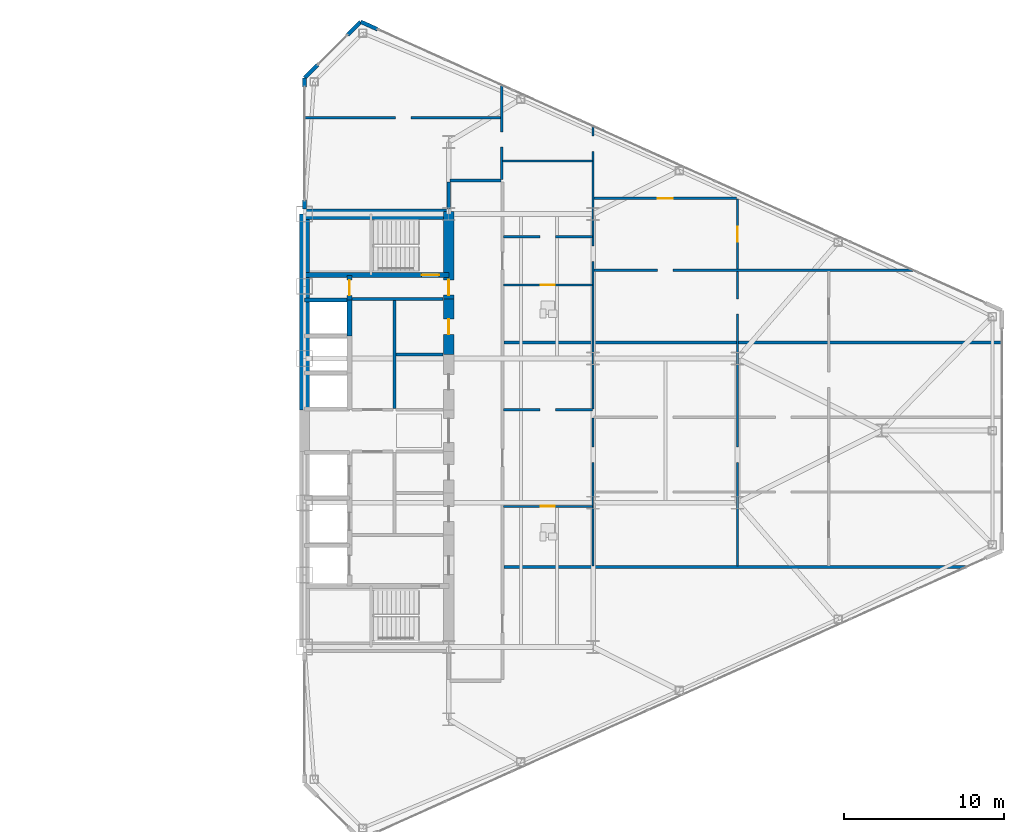
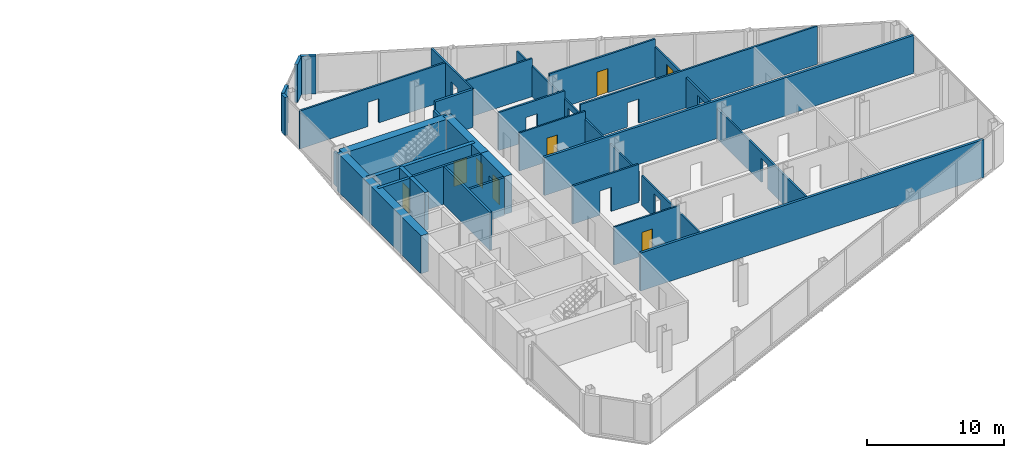
# One storey, part 23 of 27: 32 walls, 8 doors, 18 openings.
"""IFC4 building model written with IfcOpenShell, lengths in metres."""

from ifc_helpers import new_model, si_unit, direction, frame, frame_2d, origin, place, context, subcontext, project, spatial, rectangle, extrude, source, transform, mapped, material, layer, layer_set, type_object, type_shapes, element, fill, save


model = new_model("IFC4")

# Units and contexts
model_context = context("Model", 3, precision=1e-05, world=origin(), true_north=direction((0.0, 1.0)))
body_context = subcontext(model_context, "Body", "Model", "MODEL_VIEW")
ifc_project = project(units=[si_unit("LENGTHUNIT", "METRE"), si_unit("AREAUNIT", "SQUARE_METRE"), si_unit("VOLUMEUNIT", "CUBIC_METRE"), si_unit("PLANEANGLEUNIT", "RADIAN"), si_unit("MASSUNIT", "GRAM", prefix="KILO")], contexts=[model_context])

# Site, building, storey
site_placement = place(None, origin())
site = spatial("IfcSite", under=ifc_project, at=site_placement, CompositionType="ELEMENT")
building_placement = place(site_placement, origin())
building = spatial("IfcBuilding", under=site, at=building_placement, Name="Seokmaru Belvedere", CompositionType="ELEMENT")
storey_placement = place(building_placement, frame((0.0, 0.0, 72.89990234375)))
storey = spatial("IfcBuildingStorey", under=building, at=storey_placement, Name="L19", CompositionType="ELEMENT", Elevation=72.89990234375)

# Wall, opening
ifc_material_1 = material(Name="Fire-Rated Gypsum Shaftwall")
ifc_layer_1 = layer(ifc_material_1, 0.14990234375)
ifc_layer_set_1 = layer_set([ifc_layer_1], Name="Fire-Rated Gypsum Shaftwall")
wall_type_1 = type_object("IfcWallType", Name="Apartment Fire-Acoustic Room Partition 150", PredefinedType="PARTITIONING", material=ifc_layer_set_1)
wall_1_placement = place(storey_placement, frame((39.89990234375, 1.300048828125, 0.0), z_axis=(0.0, 0.0, 1.0), x_axis=(1.0, 0.0, 0.0)))
wall_1 = element("IfcWall", 1, at=wall_1_placement, inside=storey, type_object=wall_type_1, Name="L19 Interior Partition 016", PredefinedType="PARTITIONING", context=body_context, shape_type="SweptSolid", body=[
    extrude(rectangle(XDim=5.550048828125, YDim=0.14990234375, at=frame_2d((2.77490234375, 0.0))), origin(), (0.0, 0.0, 1.0), 3.380126953125),
])
opening_1_placement = place(wall_1_placement, frame((2.300048828125, 0.0, 0.0)))
element("IfcOpeningElement", 2, at=opening_1_placement, cuts=wall_1, Name="L19 Cased Opening 036", PredefinedType="OPENING", context=body_context, shape_type="SweptSolid", body=[
    extrude(rectangle(XDim=0.949951171875, YDim=2.14990234375, at=frame_2d((0.47509765625, 1.074951171875))), frame((0.0, 0.0849609375, 0.0), z_axis=(0.0, -1.0, 0.0), x_axis=(1.0, 0.0, 0.0)), (0.0, 0.0, 1.0), 0.169921875),
])

wall_2_placement = place(storey_placement, frame((45.550048828125, 9.989990234375, 0.0), z_axis=(0.0, 0.0, 1.0), x_axis=(1.0, 0.0, 0.0)))
wall_2 = element("IfcWall", 3, at=wall_2_placement, inside=storey, type_object=wall_type_1, Name="L19 Interior Partition 022", PredefinedType="PARTITIONING", context=body_context, shape_type="SweptSolid", body=[
    extrude(rectangle(XDim=19.947998046875, YDim=0.14990234375, at=frame_2d((9.97412109375, 0.0))), origin(), (0.0, 0.0, 1.0), 3.380126953125),
])
opening_2_placement = place(wall_2_placement, frame((3.97509765625, 0.0, 0.0)))
element("IfcOpeningElement", 4, at=opening_2_placement, cuts=wall_2, Name="L19 Cased Opening 051", PredefinedType="OPENING", context=body_context, shape_type="SweptSolid", body=[
    extrude(rectangle(XDim=0.949951171875, YDim=2.14990234375, at=frame_2d((0.47509765625, 1.074951171875))), frame((0.0, 0.0849609375, 0.0), z_axis=(0.0, -1.0, 0.0), x_axis=(1.0, 0.0, 0.0)), (0.0, 0.0, 1.0), 0.169921875),
])

wall_3_placement = place(storey_placement, frame((39.89990234375, 12.080078125, 0.0), z_axis=(0.0, 0.0, 1.0), x_axis=(1.0, 0.0, 0.0)))
wall_3 = element("IfcWall", 5, at=wall_3_placement, inside=storey, type_object=wall_type_1, Name="L19 Interior Partition 024", PredefinedType="PARTITIONING", context=body_context, shape_type="SweptSolid", body=[
    extrude(rectangle(XDim=5.550048828125, YDim=0.14990234375, at=frame_2d((2.77490234375, 0.0))), origin(), (0.0, 0.0, 1.0), 3.380126953125),
])
opening_3_placement = place(wall_3_placement, frame((2.300048828125, 0.0, 0.0)))
element("IfcOpeningElement", 6, at=opening_3_placement, cuts=wall_3, Name="L19 Cased Opening 048", PredefinedType="OPENING", context=body_context, shape_type="SweptSolid", body=[
    extrude(rectangle(XDim=0.949951171875, YDim=2.14990234375, at=frame_2d((0.47509765625, 1.074951171875))), frame((0.0, 0.0849609375, 0.0), z_axis=(0.0, -1.0, 0.0), x_axis=(1.0, 0.0, 0.0)), (0.0, 0.0, 1.0), 0.169921875),
])

# Wall, opening, door
wall_4_placement = place(storey_placement, frame((45.550048828125, 14.47998046875, 0.0), z_axis=(0.0, 0.0, 1.0), x_axis=(1.0, 0.0, 0.0)))
wall_4 = element("IfcWall", 7, at=wall_4_placement, inside=storey, type_object=wall_type_1, Name="L19 Interior Partition 026", PredefinedType="PARTITIONING", context=body_context, shape_type="SweptSolid", body=[
    extrude(rectangle(XDim=8.89990234375, YDim=0.14990234375, at=frame_2d((4.449951171875, 0.0))), origin(), (0.0, 0.0, 1.0), 3.380126953125),
])
opening_4_placement = place(wall_4_placement, frame((3.97509765625, 0.0, 0.0)))
opening_4 = element("IfcOpeningElement", 8, at=opening_4_placement, cuts=wall_4, Name="Opening D05", PredefinedType="OPENING", context=body_context, shape_type="SweptSolid", body=[
    extrude(rectangle(XDim=0.949951171875, YDim=2.14990234375, at=frame_2d((0.47509765625, 1.074951171875))), frame((0.0, 0.0849609375, 0.0), z_axis=(0.0, -1.0, 0.0), x_axis=(1.0, 0.0, 0.0)), (0.0, 0.0, 1.0), 0.169921875),
])
ifc_material_2 = material(Name="Engineered White Oak Timber", Category="wood")
door_type_1 = type_object("IfcDoorType", Name="Apartment Interior Fire-Rated Oak Door 950x2150", OperationType="NOTDEFINED", PredefinedType="DOOR", material=ifc_material_2)
shared_shape_1 = source(origin(), body_context, "Body", "SweptSolid", [
    extrude(rectangle(XDim=0.949951171875, YDim=2.14990234375, at=frame_2d((0.47509765625, 1.074951171875))), frame((0.0, 0.02490234375, 0.0), z_axis=(0.0, -1.0, 0.0), x_axis=(1.0, 0.0, 0.0)), (0.0, 0.0, 1.0), 0.050048828125),
])
type_shapes(door_type_1, [shared_shape_1])
door_1_placement = place(opening_4_placement, origin())
door_1 = element("IfcDoor", 9, at=door_1_placement, inside=storey, type_object=door_type_1, Name="L19 Interior Door 052", OperationType="SINGLE_SWING_LEFT", OverallHeight=2.14990234375, OverallWidth=0.949951171875, PredefinedType="DOOR", context=body_context, shape_type="MappedRepresentation", body=[
    mapped(shared_shape_1, transform((0.0, 0.0, 0.0), scale=1.0)),
])
fill(opening_4, door_1)

# Wall
wall_5_placement = place(storey_placement, frame((39.85009765625, 16.81005859375, 0.0), z_axis=(0.0, 0.0, 1.0), x_axis=(1.0, 0.0, 0.0)))
element("IfcWall", 10, at=wall_5_placement, inside=storey, type_object=wall_type_1, Name="L19 Interior Partition 029", PredefinedType="PARTITIONING", context=body_context, shape_type="SweptSolid", body=[
    extrude(rectangle(XDim=5.599853515625, YDim=0.14990234375, at=frame_2d((2.7998046875, 0.0))), origin(), (0.0, 0.0, 1.0), 3.380126953125),
])

# Wall, opening
wall_6_placement = place(storey_placement, frame((27.465087890625, 19.5, 0.0), z_axis=(0.0, 0.0, 1.0), x_axis=(1.0, 0.0, 0.0)))
wall_6 = element("IfcWall", 11, at=wall_6_placement, inside=storey, type_object=wall_type_1, Name="L19 Interior Partition 032", PredefinedType="PARTITIONING", context=body_context, shape_type="SweptSolid", body=[
    extrude(rectangle(XDim=12.284912109375, YDim=0.14990234375, at=frame_2d((6.142578125, 0.0))), origin(), (0.0, 0.0, 1.0), 3.380126953125),
])
opening_5_placement = place(wall_6_placement, frame((5.7099609375, 0.0, 0.0)))
element("IfcOpeningElement", 12, at=opening_5_placement, cuts=wall_6, Name="L19 Cased Opening 057", PredefinedType="OPENING", context=body_context, shape_type="SweptSolid", body=[
    extrude(rectangle(XDim=0.949951171875, YDim=2.14990234375, at=frame_2d((0.47509765625, 1.074951171875))), frame((0.0, 0.0849609375, 0.0), z_axis=(0.0, -1.0, 0.0), x_axis=(1.0, 0.0, 0.0)), (0.0, 0.0, 1.0), 0.169921875),
])

wall_7_placement = place(storey_placement, frame((39.800048828125, 15.64990234375, 0.0), z_axis=(0.0, 0.0, 1.0), x_axis=(0.0, 1.0, 0.0)))
wall_7 = element("IfcWall", 13, at=wall_7_placement, inside=storey, type_object=wall_type_1, Name="L19 Interior Partition 045", PredefinedType="PARTITIONING", context=body_context, shape_type="SweptSolid", body=[
    extrude(rectangle(XDim=5.925048828125, YDim=0.14990234375, at=frame_2d((2.96240234375, 0.0))), origin(), (0.0, 0.0, 1.0), 3.380126953125),
])
opening_6_placement = place(wall_7_placement, frame((2.029296875, 0.0, 0.0)))
element("IfcOpeningElement", 14, at=opening_6_placement, cuts=wall_7, Name="L19 Cased Opening 056", PredefinedType="OPENING", context=body_context, shape_type="SweptSolid", body=[
    extrude(rectangle(XDim=0.949951171875, YDim=2.14990234375, at=frame_2d((0.47509765625, 1.074951171875))), frame((0.0, 0.0849609375, 0.0), z_axis=(0.0, -1.0, 0.0), x_axis=(1.0, 0.0, 0.0)), (0.0, 0.0, 1.0), 0.169921875),
])

# Wall, openings, door
wall_8_placement = place(storey_placement, frame((54.5, -8.449951171875, 0.0), z_axis=(0.0, 0.0, 1.0), x_axis=(0.0, 1.0, 0.0)))
wall_8 = element("IfcWall", 15, at=wall_8_placement, inside=storey, type_object=wall_type_1, Name="L19 Interior Partition 049", PredefinedType="PARTITIONING", context=body_context, shape_type="SweptSolid", body=[
    extrude(rectangle(XDim=22.883056640625, YDim=0.14990234375, at=frame_2d((11.44140625, 0.0))), origin(), (0.0, 0.0, 1.0), 2.68017578125),
])
opening_7_placement = place(wall_8_placement, frame((6.47509765625, 0.0, 0.0)))
element("IfcOpeningElement", 16, at=opening_7_placement, cuts=wall_8, Name="L19 Cased Opening 038", PredefinedType="OPENING", context=body_context, shape_type="SweptSolid", body=[
    extrude(rectangle(XDim=0.949951171875, YDim=2.14990234375, at=frame_2d((0.47509765625, 1.074951171875))), frame((0.0, 0.0849609375, 0.0), z_axis=(0.0, -1.0, 0.0), x_axis=(1.0, 0.0, 0.0)), (0.0, 0.0, 1.0), 0.169921875),
])
opening_8_placement = place(wall_8_placement, frame((20.21240234375, 0.0, 0.0)))
opening_8 = element("IfcOpeningElement", 17, at=opening_8_placement, cuts=wall_8, Name="Opening D05", PredefinedType="OPENING", context=body_context, shape_type="SweptSolid", body=[
    extrude(rectangle(XDim=0.949951171875, YDim=2.14990234375, at=frame_2d((0.47509765625, 1.074951171875))), frame((0.0, 0.0849609375, 0.0), z_axis=(0.0, -1.0, 0.0), x_axis=(1.0, 0.0, 0.0)), (0.0, 0.0, 1.0), 0.169921875),
])
opening_9_placement = place(wall_8_placement, frame((15.720947265625, 0.0, 0.0)))
element("IfcOpeningElement", 18, at=opening_9_placement, cuts=wall_8, Name="L19 Cased Opening 053", PredefinedType="OPENING", context=body_context, shape_type="SweptSolid", body=[
    extrude(rectangle(XDim=0.949951171875, YDim=2.14990234375, at=frame_2d((0.47509765625, 1.074951171875))), frame((0.0, 0.0849609375, 0.0), z_axis=(0.0, -1.0, 0.0), x_axis=(1.0, 0.0, 0.0)), (0.0, 0.0, 1.0), 0.169921875),
])
door_2_placement = place(opening_8_placement, origin())
door_2 = element("IfcDoor", 19, at=door_2_placement, inside=storey, type_object=door_type_1, Name="L19 Interior Door 050", OperationType="SINGLE_SWING_LEFT", OverallHeight=2.14990234375, OverallWidth=0.949951171875, PredefinedType="DOOR", context=body_context, shape_type="MappedRepresentation", body=[
    mapped(shared_shape_1, transform((0.0, 0.0, 0.0), scale=1.0)),
])
fill(opening_8, door_2)

# Walls
ifc_layer_2 = layer(ifc_material_1, 0.179931640625)
ifc_layer_set_2 = layer_set([ifc_layer_2], Name="Fire-Rated Gypsum Shaftwall")
wall_type_2 = type_object("IfcWallType", Name="Core Service Fire Partition 180", PredefinedType="PARTITIONING", material=ifc_layer_set_2)
wall_9_placement = place(storey_placement, frame((30.449951171875, 8.199951171875, 0.0), z_axis=(0.0, 0.0, 1.0), x_axis=(1.0, 0.0, 0.0)))
element("IfcWall", 20, at=wall_9_placement, inside=storey, type_object=wall_type_2, Name="L19 East Smokeproof Vestibule Partition", PredefinedType="PARTITIONING", context=body_context, shape_type="SweptSolid", body=[
    extrude(rectangle(XDim=5.699951171875, YDim=0.179931640625, at=frame_2d((2.85009765625, 0.0))), origin(), (0.0, 0.0, 1.0), 3.380126953125),
])
wall_10_placement = place(storey_placement, frame((33.10009765625, 1.3798828125, 0.0), z_axis=(0.0, 0.0, 1.0), x_axis=(0.0, 1.0, 0.0)))
element("IfcWall", 21, at=wall_10_placement, inside=storey, type_object=wall_type_2, Name="L19 East North Core Service Back Wall", PredefinedType="PARTITIONING", context=body_context, shape_type="SweptSolid", body=[
    extrude(rectangle(XDim=6.740234375, YDim=0.179931640625, at=frame_2d((3.3701171875, 0.0))), origin(), (0.0, 0.0, 1.0), 3.380126953125),
])
wall_11_placement = place(storey_placement, frame((33.199951171875, 4.75, 0.0), z_axis=(0.0, 0.0, 1.0), x_axis=(1.0, 0.0, 0.0)))
element("IfcWall", 22, at=wall_11_placement, inside=storey, type_object=wall_type_2, Name="L19 East Core Service Partition 2", PredefinedType="PARTITIONING", context=body_context, shape_type="SweptSolid", body=[
    extrude(rectangle(XDim=2.949951171875, YDim=0.179931640625, at=frame_2d((1.47509765625, 0.0))), origin(), (0.0, 0.0, 1.0), 3.380126953125),
])
ifc_material_3 = material(Name="Concrete C50 (50 MPa)", Category="concrete")
ifc_layer_3 = layer(ifc_material_3, 0.25)
ifc_layer_set_3 = layer_set([ifc_layer_3], Name="Concrete C50 (50 MPa)")
wall_type_3 = type_object("IfcWallType", Name="Hoistway Transverse Concrete Divider Wall 250", PredefinedType="SHEAR", material=ifc_layer_set_3)
wall_12_placement = place(storey_placement, frame((27.5, 8.14990234375, 0.0), z_axis=(0.0, 0.0, 1.0), x_axis=(1.0, 0.0, 0.0)))
element("IfcWall", 23, at=wall_12_placement, inside=storey, type_object=wall_type_3, Name="L19 East Hoistway Divider Core Wall 7", PredefinedType="SHEAR", context=body_context, shape_type="SweptSolid", body=[
    extrude(rectangle(XDim=2.800048828125, YDim=0.25, at=frame_2d((1.39990234375, 0.0))), origin(), (0.0, 0.0, 1.0), 3.380126953125),
])
ifc_layer_4 = layer(ifc_material_1, 0.199951171875)
ifc_layer_set_4 = layer_set([ifc_layer_4], Name="Fire-Rated Gypsum Shaftwall")
wall_type_4 = type_object("IfcWallType", Name="Inter-Tenancy Fire Compartment Partition 200", PredefinedType="PARTITIONING", material=ifc_layer_set_4)
wall_13_placement = place(storey_placement, frame((39.929931640625, -8.5, 0.0), z_axis=(0.0, 0.0, 1.0), x_axis=(1.0, 0.0, 0.0)))
element("IfcWall", 24, at=wall_13_placement, inside=storey, type_object=wall_type_4, Name="L19 Interior Partition 008", PredefinedType="PARTITIONING", context=body_context, shape_type="SweptSolid", body=[
    extrude(rectangle(XDim=28.860107421875, YDim=0.199951171875, at=frame_2d((14.43017578125, 0.0))), origin(), (0.0, 0.0, 1.0), 3.380126953125),
])
wall_14_placement = place(storey_placement, frame((39.929931640625, 5.5, 0.0), z_axis=(0.0, 0.0, 1.0), x_axis=(1.0, 0.0, 0.0)))
element("IfcWall", 25, at=wall_14_placement, inside=storey, type_object=wall_type_4, Name="L19 Interior Partition 018", PredefinedType="PARTITIONING", context=body_context, shape_type="SweptSolid", body=[
    extrude(rectangle(XDim=31.074951171875, YDim=0.199951171875, at=frame_2d((15.53759765625, 0.0))), origin(), (0.0, 0.0, 1.0), 3.380126953125),
])
wall_15_placement = place(storey_placement, frame((36.5849609375, 15.60009765625, 0.0), z_axis=(0.0, 0.0, 1.0), x_axis=(1.0, 0.0, 0.0)))
element("IfcWall", 26, at=wall_15_placement, inside=storey, type_object=wall_type_4, Name="L19 Interior Partition 028", PredefinedType="PARTITIONING", context=body_context, shape_type="SweptSolid", body=[
    extrude(rectangle(XDim=3.179931640625, YDim=0.199951171875, at=frame_2d((1.58984375, 0.0))), origin(), (0.0, 0.0, 1.0), 3.380126953125),
])
wall_16_placement = place(storey_placement, frame((36.5, 13.830078125, 0.0), z_axis=(0.0, 0.0, 1.0), x_axis=(0.0, 1.0, 0.0)))
element("IfcWall", 27, at=wall_16_placement, inside=storey, type_object=wall_type_4, Name="L19 Interior Partition 044", PredefinedType="PARTITIONING", context=body_context, shape_type="SweptSolid", body=[
    extrude(rectangle(XDim=1.684814453125, YDim=0.199951171875, at=frame_2d((0.84228515625, 0.0))), origin(), (0.0, 0.0, 1.0), 2.68017578125),
])

# Wall, opening, door
ifc_layer_5 = layer(ifc_material_3, 0.300048828125)
ifc_layer_set_5 = layer_set([ifc_layer_5], Name="Concrete C50 (50 MPa)")
wall_type_5 = type_object("IfcWallType", Name="Internal Core Stair and Hoistway Wall 300", PredefinedType="SHEAR", material=ifc_layer_set_5)
wall_17_placement = place(storey_placement, frame((27.5, 9.699951171875, 0.0), z_axis=(0.0, 0.0, 1.0), x_axis=(1.0, 0.0, 0.0)))
wall_17 = element("IfcWall", 28, at=wall_17_placement, inside=storey, type_object=wall_type_5, Name="L19 East Stair ST-2 Enclosure Wall", PredefinedType="SHEAR", context=body_context, shape_type="SweptSolid", body=[
    extrude(rectangle(XDim=9.0, YDim=0.300048828125, at=frame_2d((4.5, 0.0))), origin(), (0.0, 0.0, 1.0), 3.380126953125),
])
opening_10_placement = place(wall_17_placement, frame((7.300048828125, 0.0, 0.0)))
opening_10 = element("IfcOpeningElement", 29, at=opening_10_placement, cuts=wall_17, Name="Opening D01", PredefinedType="OPENING", context=body_context, shape_type="SweptSolid", body=[
    extrude(rectangle(XDim=1.10009765625, YDim=2.199951171875, at=frame_2d((0.550048828125, 1.10009765625))), frame((0.0, 0.16015625, 0.0), z_axis=(0.0, -1.0, 0.0), x_axis=(1.0, 0.0, 0.0)), (0.0, 0.0, 1.0), 0.320068359375),
])
ifc_material_4 = material(Name="Fire-Rated Steel Leaf", Category="steel")
door_type_2 = type_object("IfcDoorType", Name="Special Escape Stair Smokeproof Fire Door 1100x2200", OperationType="NOTDEFINED", PredefinedType="DOOR", material=ifc_material_4)
shared_shape_2 = source(origin(), body_context, "Body", "SweptSolid", [
    extrude(rectangle(XDim=1.10009765625, YDim=2.199951171875, at=frame_2d((0.550048828125, 1.10009765625))), frame((0.0, 0.02490234375, 0.0), z_axis=(0.0, -1.0, 0.0), x_axis=(1.0, 0.0, 0.0)), (0.0, 0.0, 1.0), 0.050048828125),
])
type_shapes(door_type_2, [shared_shape_2])
door_3_placement = place(opening_10_placement, origin())
door_3 = element("IfcDoor", 30, at=door_3_placement, inside=storey, type_object=door_type_2, Name="L19 East Special Escape Stair ST-2 Door", OperationType="SINGLE_SWING_LEFT", OverallHeight=2.199951171875, OverallWidth=1.10009765625, PredefinedType="DOOR", context=body_context, shape_type="MappedRepresentation", body=[
    mapped(shared_shape_2, transform((0.0, 0.0, 0.0), scale=1.0)),
])
fill(opening_10, door_3)

# Wall
wall_18_placement = place(storey_placement, frame((30.300048828125, 5.89990234375, 0.0), z_axis=(0.0, 0.0, 1.0), x_axis=(0.0, 1.0, 0.0)))
element("IfcWall", 31, at=wall_18_placement, inside=storey, type_object=wall_type_5, Name="L19 East North Hoistway Wall OBS", PredefinedType="SHEAR", context=body_context, shape_type="SweptSolid", body=[
    extrude(rectangle(XDim=2.25, YDim=0.300048828125, at=frame_2d((1.125, 0.0))), origin(), (0.0, 0.0, 1.0), 3.380126953125),
])

# Wall, opening, door
wall_19_placement = place(storey_placement, frame((30.300048828125, 8.14990234375, 0.0), z_axis=(0.0, 0.0, 1.0), x_axis=(0.0, 1.0, 0.0)))
wall_19 = element("IfcWall", 32, at=wall_19_placement, inside=storey, type_object=wall_type_5, Name="L19 East Electrical Riser Front Wall", PredefinedType="SHEAR", context=body_context, shape_type="SweptSolid", body=[
    extrude(rectangle(XDim=1.530029296875, YDim=0.300048828125, at=frame_2d((0.76513671875, 0.0))), origin(), (0.0, 0.0, 1.0), 3.380126953125),
])
opening_11_placement = place(wall_19_placement, frame((0.284912109375, 0.0, 0.0)))
opening_11 = element("IfcOpeningElement", 33, at=opening_11_placement, cuts=wall_19, Name="Opening D04", PredefinedType="OPENING", context=body_context, shape_type="SweptSolid", body=[
    extrude(rectangle(XDim=0.949951171875, YDim=2.14990234375, at=frame_2d((0.47509765625, 1.074951171875))), frame((0.0, 0.16015625, 0.0), z_axis=(0.0, -1.0, 0.0), x_axis=(1.0, 0.0, 0.0)), (0.0, 0.0, 1.0), 0.320068359375),
])
door_type_3 = type_object("IfcDoorType", Name="Core Service Room Fire Door 950x2150", OperationType="NOTDEFINED", PredefinedType="DOOR", material=ifc_material_4)
shared_shape_3 = source(origin(), body_context, "Body", "SweptSolid", [
    extrude(rectangle(XDim=0.949951171875, YDim=2.14990234375, at=frame_2d((0.47509765625, 1.074951171875))), frame((0.0, 0.02490234375, 0.0), z_axis=(0.0, -1.0, 0.0), x_axis=(1.0, 0.0, 0.0)), (0.0, 0.0, 1.0), 0.050048828125),
])
type_shapes(door_type_3, [shared_shape_3])
door_4_placement = place(opening_11_placement, origin())
door_4 = element("IfcDoor", 34, at=door_4_placement, inside=storey, type_object=door_type_3, Name="L19 East Electrical Riser Access Door", OperationType="SINGLE_SWING_RIGHT", OverallHeight=2.14990234375, OverallWidth=0.949951171875, PredefinedType="DOOR", context=body_context, shape_type="MappedRepresentation", body=[
    mapped(shared_shape_3, transform((0.0, 0.0, 0.0), scale=1.0)),
])
fill(opening_11, door_4)

# Walls
ifc_material_5 = material(Name="Concrete C60 (60 MPa)", Category="concrete")
ifc_layer_6 = layer(ifc_material_5, 0.64990234375)
ifc_layer_set_6 = layer_set([ifc_layer_6], Name="Concrete C60 (60 MPa)")
wall_type_6 = type_object("IfcWallType", Name="Mid-Low Reinforced Concrete Core Wall 650", PredefinedType="SHEAR", material=ifc_layer_set_6)
wall_20_placement = place(storey_placement, frame((27.5, 1.300048828125, 0.0), z_axis=(0.0, 0.0, 1.0), x_axis=(0.0, 1.0, 0.0)))
element("IfcWall", 35, at=wall_20_placement, inside=storey, type_object=wall_type_6, Name="L19 East Portal Spine Core Wall North", PredefinedType="SHEAR", context=body_context, shape_type="SweptSolid", body=[
    extrude(rectangle(XDim=12.199951171875, YDim=0.64990234375, at=frame_2d((6.10009765625, 0.0))), origin(), (0.0, 0.0, 1.0), 3.380126953125),
])
wall_21_placement = place(storey_placement, frame((27.5, 13.5, 0.0), z_axis=(0.0, 0.0, 1.0), x_axis=(1.0, 0.0, 0.0)))
element("IfcWall", 36, at=wall_21_placement, inside=storey, type_object=wall_type_6, Name="L19 East North Core Wall", PredefinedType="SHEAR", context=body_context, shape_type="SweptSolid", body=[
    extrude(rectangle(XDim=9.0, YDim=0.64990234375, at=frame_2d((4.5, 0.0))), origin(), (0.0, 0.0, 1.0), 3.380126953125),
])

# Wall, opening, door
wall_22_placement = place(storey_placement, frame((36.5, 8.199951171875, 0.0), z_axis=(0.0, 0.0, 1.0), x_axis=(0.0, 1.0, 0.0)))
wall_22 = element("IfcWall", 37, at=wall_22_placement, inside=storey, type_object=wall_type_6, Name="L19 East West Core Wall VST", PredefinedType="SHEAR", context=body_context, shape_type="SweptSolid", body=[
    extrude(rectangle(XDim=5.449951171875, YDim=0.64990234375, at=frame_2d((2.72509765625, 0.0))), origin(), (0.0, 0.0, 1.0), 3.380126953125),
])
opening_12_placement = place(wall_22_placement, frame((0.2451171875, 0.0, 0.0)))
opening_12 = element("IfcOpeningElement", 38, at=opening_12_placement, cuts=wall_22, Name="Opening D04", PredefinedType="OPENING", context=body_context, shape_type="SweptSolid", body=[
    extrude(rectangle(XDim=0.949951171875, YDim=2.14990234375, at=frame_2d((0.47509765625, 1.074951171875))), frame((0.0, 0.3349609375, 0.0), z_axis=(0.0, -1.0, 0.0), x_axis=(1.0, 0.0, 0.0)), (0.0, 0.0, 1.0), 0.669921875),
])
door_5_placement = place(opening_12_placement, origin())
door_5 = element("IfcDoor", 39, at=door_5_placement, inside=storey, type_object=door_type_3, Name="L19 East Smokeproof Vestibule Door", OperationType="SINGLE_SWING_LEFT", OverallHeight=2.14990234375, OverallWidth=0.949951171875, PredefinedType="DOOR", context=body_context, shape_type="MappedRepresentation", body=[
    mapped(shared_shape_3, transform((0.0, 0.0, 0.0), scale=1.0)),
])
fill(opening_12, door_5)

wall_23_placement = place(storey_placement, frame((36.5, 4.75, 0.0), z_axis=(0.0, 0.0, 1.0), x_axis=(0.0, 1.0, 0.0)))
wall_23 = element("IfcWall", 40, at=wall_23_placement, inside=storey, type_object=wall_type_6, Name="L19 East West Core Wall CS4", PredefinedType="SHEAR", context=body_context, shape_type="SweptSolid", body=[
    extrude(rectangle(XDim=3.449951171875, YDim=0.64990234375, at=frame_2d((1.72509765625, 0.0))), origin(), (0.0, 0.0, 1.0), 3.380126953125),
])
opening_13_placement = place(wall_23_placement, frame((1.25, 0.0, 0.0)))
opening_13 = element("IfcOpeningElement", 41, at=opening_13_placement, cuts=wall_23, Name="Opening D04", PredefinedType="OPENING", context=body_context, shape_type="SweptSolid", body=[
    extrude(rectangle(XDim=0.949951171875, YDim=2.14990234375, at=frame_2d((0.47509765625, 1.074951171875))), frame((0.0, 0.3349609375, 0.0), z_axis=(0.0, -1.0, 0.0), x_axis=(1.0, 0.0, 0.0)), (0.0, 0.0, 1.0), 0.669921875),
])
door_6_placement = place(opening_13_placement, origin())
door_6 = element("IfcDoor", 42, at=door_6_placement, inside=storey, type_object=door_type_3, Name="L19 East Core Service Room Door 4", OperationType="SINGLE_SWING_LEFT", OverallHeight=2.14990234375, OverallWidth=0.949951171875, PredefinedType="DOOR", context=body_context, shape_type="MappedRepresentation", body=[
    mapped(shared_shape_3, transform((0.0, 0.0, 0.0), scale=1.0)),
])
fill(opening_13, door_6)

ifc_layer_7 = layer(ifc_material_1, 0.1298828125)
ifc_layer_set_7 = layer_set([ifc_layer_7], Name="Fire-Rated Gypsum Shaftwall")
wall_type_7 = type_object("IfcWallType", Name="Moisture-Resistant Fire-Rated Bathroom Partition 130", PredefinedType="PARTITIONING", material=ifc_layer_set_7)
wall_24_placement = place(storey_placement, frame((39.89990234375, -4.719970703125, 0.0), z_axis=(0.0, 0.0, 1.0), x_axis=(1.0, 0.0, 0.0)))
wall_24 = element("IfcWall", 43, at=wall_24_placement, inside=storey, type_object=wall_type_7, Name="L19 Interior Partition 011", PredefinedType="PARTITIONING", context=body_context, shape_type="SweptSolid", body=[
    extrude(rectangle(XDim=5.550048828125, YDim=0.1298828125, at=frame_2d((2.77490234375, 0.0))), origin(), (0.0, 0.0, 1.0), 3.380126953125),
])
opening_14_placement = place(wall_24_placement, frame((2.3349609375, 0.0, 0.0)))
opening_14 = element("IfcOpeningElement", 44, at=opening_14_placement, cuts=wall_24, Name="Opening D06", PredefinedType="OPENING", context=body_context, shape_type="SweptSolid", body=[
    extrude(rectangle(XDim=0.8798828125, YDim=2.10009765625, at=frame_2d((0.43994140625, 1.050048828125))), frame((0.0, 0.074951171875, 0.0), z_axis=(0.0, -1.0, 0.0), x_axis=(1.0, 0.0, 0.0)), (0.0, 0.0, 1.0), 0.14990234375),
])
door_type_4 = type_object("IfcDoorType", Name="Bathroom and Restroom Fire-Rated Door 880x2100", OperationType="NOTDEFINED", PredefinedType="DOOR", material=ifc_material_2)
shared_shape_4 = source(origin(), body_context, "Body", "SweptSolid", [
    extrude(rectangle(XDim=0.8798828125, YDim=2.10009765625, at=frame_2d((0.43994140625, 1.050048828125))), frame((0.0, 0.02490234375, 0.0), z_axis=(0.0, -1.0, 0.0), x_axis=(1.0, 0.0, 0.0)), (0.0, 0.0, 1.0), 0.050048828125),
])
type_shapes(door_type_4, [shared_shape_4])
door_7_placement = place(opening_14_placement, origin())
door_7 = element("IfcDoor", 45, at=door_7_placement, inside=storey, type_object=door_type_4, Name="L19 Interior Door 035", OperationType="SINGLE_SWING_RIGHT", OverallHeight=2.10009765625, OverallWidth=0.8798828125, PredefinedType="DOOR", context=body_context, shape_type="MappedRepresentation", body=[
    mapped(shared_shape_4, transform((0.0, 0.0, 0.0), scale=1.0)),
])
fill(opening_14, door_7)

wall_25_placement = place(storey_placement, frame((39.89990234375, 9.080078125, 0.0), z_axis=(0.0, 0.0, 1.0), x_axis=(1.0, 0.0, 0.0)))
wall_25 = element("IfcWall", 46, at=wall_25_placement, inside=storey, type_object=wall_type_7, Name="L19 Interior Partition 020", PredefinedType="PARTITIONING", context=body_context, shape_type="SweptSolid", body=[
    extrude(rectangle(XDim=5.550048828125, YDim=0.1298828125, at=frame_2d((2.77490234375, 0.0))), origin(), (0.0, 0.0, 1.0), 3.380126953125),
])
opening_15_placement = place(wall_25_placement, frame((2.3349609375, 0.0, 0.0)))
opening_15 = element("IfcOpeningElement", 47, at=opening_15_placement, cuts=wall_25, Name="Opening D06", PredefinedType="OPENING", context=body_context, shape_type="SweptSolid", body=[
    extrude(rectangle(XDim=0.8798828125, YDim=2.10009765625, at=frame_2d((0.43994140625, 1.050048828125))), frame((0.0, 0.074951171875, 0.0), z_axis=(0.0, -1.0, 0.0), x_axis=(1.0, 0.0, 0.0)), (0.0, 0.0, 1.0), 0.14990234375),
])
door_8_placement = place(opening_15_placement, origin())
door_8 = element("IfcDoor", 48, at=door_8_placement, inside=storey, type_object=door_type_4, Name="L19 Interior Door 047", OperationType="SINGLE_SWING_RIGHT", OverallHeight=2.10009765625, OverallWidth=0.8798828125, PredefinedType="DOOR", context=body_context, shape_type="MappedRepresentation", body=[
    mapped(shared_shape_4, transform((0.0, 0.0, 0.0), scale=1.0)),
])
fill(opening_15, door_8)

# Wall, opening
wall_26_placement = place(storey_placement, frame((45.5, -8.449951171875, 0.0), z_axis=(0.0, 0.0, 1.0), x_axis=(0.0, 1.0, 0.0)))
wall_26 = element("IfcWall", 49, at=wall_26_placement, inside=storey, type_object=wall_type_7, Name="L19 Interior Partition 047", PredefinedType="PARTITIONING", context=body_context, shape_type="SweptSolid", body=[
    extrude(rectangle(XDim=9.23291015625, YDim=0.1298828125, at=frame_2d((4.616455078125, 0.0))), origin(), (0.0, 0.0, 1.0), 2.68017578125),
])
opening_16_placement = place(wall_26_placement, frame((6.47509765625, 0.0, 0.0)))
element("IfcOpeningElement", 50, at=opening_16_placement, cuts=wall_26, Name="L19 Cased Opening 037", PredefinedType="OPENING", context=body_context, shape_type="SweptSolid", body=[
    extrude(rectangle(XDim=0.949951171875, YDim=2.14990234375, at=frame_2d((0.47509765625, 1.074951171875))), frame((0.0, 0.074951171875, 0.0), z_axis=(0.0, -1.0, 0.0), x_axis=(1.0, 0.0, 0.0)), (0.0, 0.0, 1.0), 0.14990234375),
])

# Wall, openings
wall_27_placement = place(storey_placement, frame((45.5, 1.35205078125, 0.0), z_axis=(0.0, 0.0, 1.0), x_axis=(0.0, 1.0, 0.0)))
wall_27 = element("IfcWall", 51, at=wall_27_placement, inside=storey, type_object=wall_type_7, Name="L19 Interior Partition 048", PredefinedType="PARTITIONING", context=body_context, shape_type="SweptSolid", body=[
    extrude(rectangle(XDim=17.657958984375, YDim=0.1298828125, at=frame_2d((8.8291015625, 0.0))), origin(), (0.0, 0.0, 1.0), 2.68017578125),
])
opening_17_placement = place(wall_27_placement, frame((9.20751953125, 0.0, 0.0)))
element("IfcOpeningElement", 52, at=opening_17_placement, cuts=wall_27, Name="L19 Cased Opening 049", PredefinedType="OPENING", context=body_context, shape_type="SweptSolid", body=[
    extrude(rectangle(XDim=0.949951171875, YDim=2.14990234375, at=frame_2d((0.47509765625, 1.074951171875))), frame((0.0, 0.074951171875, 0.0), z_axis=(0.0, -1.0, 0.0), x_axis=(1.0, 0.0, 0.0)), (0.0, 0.0, 1.0), 0.14990234375),
])
opening_18_placement = place(wall_27_placement, frame((16.06494140625, 0.0, 0.0)))
element("IfcOpeningElement", 53, at=opening_18_placement, cuts=wall_27, Name="L19 Cased Opening 055", PredefinedType="OPENING", context=body_context, shape_type="SweptSolid", body=[
    extrude(rectangle(XDim=0.949951171875, YDim=2.14990234375, at=frame_2d((0.47509765625, 1.074951171875))), frame((0.0, 0.074951171875, 0.0), z_axis=(0.0, -1.0, 0.0), x_axis=(1.0, 0.0, 0.0)), (0.0, 0.0, 1.0), 0.14990234375),
])

# Walls
ifc_material_6 = material(Name="Anodised Bronze Aluminium", Category="aluminium")
ifc_layer_8 = layer(ifc_material_6, 0.239990234375)
ifc_layer_set_8 = layer_set([ifc_layer_8], Name="Anodised Bronze Aluminium")
wall_type_8 = type_object("IfcWallType", Name="Tower Corner Spandrel Closure Wall 240", PredefinedType="SOLIDWALL", material=ifc_layer_set_8)
wall_28_placement = place(storey_placement, frame((32.048583984375, 25.028076171875, 0.0), z_axis=(0.0, 0.0, 1.0), x_axis=(-0.911929519623, 0.410346866979, 0.0)))
element("IfcWall", 54, at=wall_28_placement, inside=storey, type_object=wall_type_8, Name="L19 E Corner Closure Pier 3B", PredefinedType="SOLIDWALL", context=body_context, shape_type="SweptSolid", body=[
    extrude(rectangle(XDim=1.139892578125, YDim=0.239990234375, at=frame_2d((0.56982421875, 0.0))), origin(), (0.0, 0.0, 1.0), 3.380126953125),
])
for number, where, z_axis, x_axis, name in (
    (55, (30.992919921875, 25.492919921875, 0.0), (0.0, 0.0, 1.0), (-0.707106781187, -0.707106781187, 0.0), "L19 E Corner Closure Pier 4A"),
    (56, (28.313232421875, 22.813232421875, 0.0), (0.0, 0.0, 1.0), (-0.707106781187, -0.707106781187, 0.0), "L19 E Corner Closure Pier 4B"),
):
    element("IfcWall", number, at=place(storey_placement, frame(where, z_axis=z_axis, x_axis=x_axis)), inside=storey, type_object=wall_type_8, Name=name, PredefinedType="SOLIDWALL", context=body_context, shape_type="SweptSolid", body=[
        extrude(rectangle(XDim=1.14013671875, YDim=0.239990234375, at=frame_2d((0.570068359375, 0.0))), origin(), (0.0, 0.0, 1.0), 3.380126953125),
    ])
wall_29_placement = place(storey_placement, frame((27.5, 13.830078125, 0.0), z_axis=(0.0, 0.0, 1.0), x_axis=(0.0, 1.0, 0.0)))
element("IfcWall", 57, at=wall_29_placement, inside=storey, type_object=wall_type_8, Name="L19 E Spine Closure Pier 2A", PredefinedType="SOLIDWALL", context=body_context, shape_type="SweptSolid", body=[
    extrude(rectangle(XDim=0.5498046875, YDim=0.239990234375, at=frame_2d((0.27490234375, 0.0))), origin(), (0.0, 0.0, 1.0), 2.880126953125),
])
wall_30_placement = place(storey_placement, frame((27.5, 21.429931640625, 0.0), z_axis=(0.0, 0.0, 1.0), x_axis=(0.0, 1.0, 0.0)))
element("IfcWall", 58, at=wall_30_placement, inside=storey, type_object=wall_type_8, Name="L19 E Spine Closure Pier 2B", PredefinedType="SOLIDWALL", context=body_context, shape_type="SweptSolid", body=[
    extrude(rectangle(XDim=0.550048828125, YDim=0.239990234375, at=frame_2d((0.27490234375, 0.0))), origin(), (0.0, 0.0, 1.0), 3.380126953125),
])

save(model, "model.ifc")
